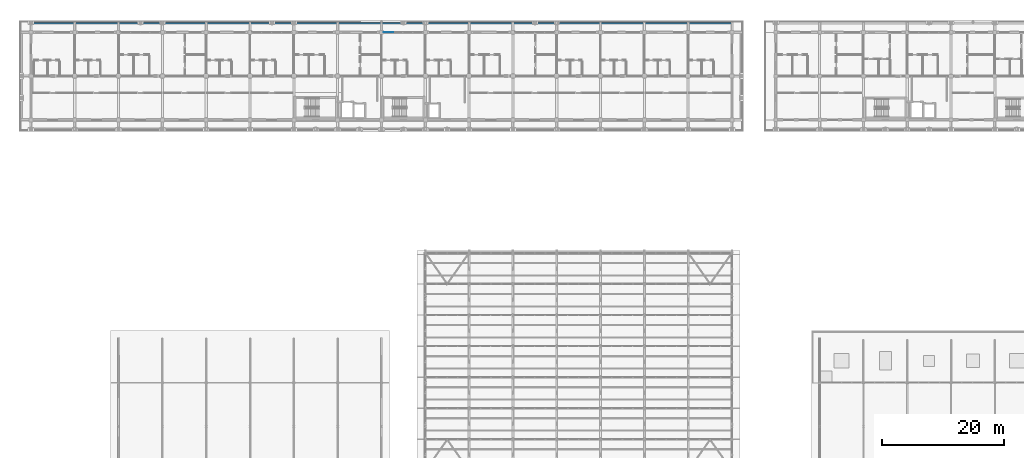
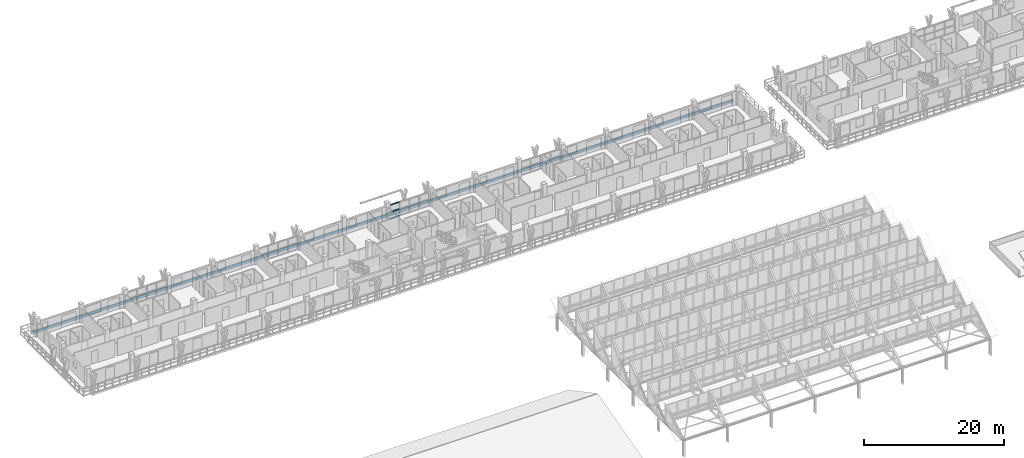
# One storey, part 38 of 157: 3 members, 1 beam, 1 element without a shape of its own.
"""IFC4 building model written with IfcOpenShell, lengths in metres."""

from ifc_helpers import new_model, si_unit, direction, frame, origin, origin_2d, place, context, subcontext, project, spatial, rectangle, hollow_rectangle, extrude, material, material_profile, profile_set, type_object, element, aggregate, save


model = new_model("IFC4")

# Units and contexts
model_context = context("Model", 3, precision=1e-05, world=origin(), true_north=direction((0.0, 1.0)))
body_context = subcontext(model_context, "Body", "Model", "MODEL_VIEW")
ifc_project = project(units=[si_unit("LENGTHUNIT", "METRE"), si_unit("AREAUNIT", "SQUARE_METRE"), si_unit("VOLUMEUNIT", "CUBIC_METRE"), si_unit("PLANEANGLEUNIT", "RADIAN"), si_unit("MASSUNIT", "GRAM", prefix="KILO")], contexts=[model_context])

# Site, building, storey
site_placement = place(None, origin())
site = spatial("IfcSite", under=ifc_project, at=site_placement, CompositionType="ELEMENT")
building_placement = place(site_placement, origin())
building = spatial("IfcBuilding", under=site, at=building_placement, Name="Suanplinth Sawtooth Commons", CompositionType="ELEMENT")
storey_placement = place(building_placement, frame((0.0, 0.0, 9.0)))
storey = spatial("IfcBuildingStorey", under=building, at=storey_placement, Name="L02", CompositionType="ELEMENT", Elevation=9.0)

# Beam
ifc_material_1 = material(Name="Precast concrete C40/50", Category="concrete")
ifc_material_profile_1 = material_profile(ifc_material_1, rectangle(XDim=0.25, YDim=0.449951171875, at=origin_2d()), Name="PC-SP 250x450")
ifc_profile_set_1 = profile_set([ifc_material_profile_1], Name="Precast concrete C40/50")
beam_type = type_object("IfcBeamType", Name="B-09", PredefinedType="SPANDREL", material=ifc_profile_set_1)
beam_placement = place(storey_placement, frame((-0.14990234375, 123.919921875, -0.405029296875), z_axis=(1.0, 0.0, 0.0), x_axis=(0.0, 1.0, 0.0)))
element("IfcBeam", 1, at=beam_placement, inside=storey, type_object=beam_type, Name="Balcony Edge Fascia L02-A-N", PredefinedType="SPANDREL", context=body_context, shape_type="SweptSolid", body=[
    extrude(rectangle(XDim=0.25, YDim=0.449951171875, at=origin_2d()), origin(), (0.0, 0.0, 1.0), 115.5),
])

# Curtain wall, members
ifc_material_2 = material(Name="Anodized aluminium and low-E glazing", Category="aluminium")
curtain_wall_type = type_object("IfcCurtainWallType", Name="CW-06", PredefinedType="USERDEFINED", material=ifc_material_2)
curtain_wall_placement = place(storey_placement, origin())
curtain_wall = element("IfcCurtainWall", 2, at=curtain_wall_placement, inside=storey, type_object=curtain_wall_type, Name="Curtain Wall CW-L02-A-LOUNGE-8", ObjectType="CURTAIN WALL", PredefinedType="USERDEFINED")
ifc_material_3 = material(Name="Anodized aluminium 6063-T6", Category="aluminium")
ifc_material_profile_2 = material_profile(ifc_material_3, hollow_rectangle(XDim=0.06494140625, YDim=0.1201171875, WallThickness=0.00390625, at=origin_2d()), Name="ALU-TRN 65x120")
ifc_profile_set_2 = profile_set([ifc_material_profile_2], Name="Anodized aluminium 6063-T6")
member_type = type_object("IfcMemberType", Name="M-15", PredefinedType="USERDEFINED", material=ifc_profile_set_2)
member_1_placement = place(storey_placement, frame((57.989990234375, 122.39990234375, 0.032470703125), z_axis=(1.0, 0.0, 0.0), x_axis=(0.0, 1.0, 0.0)))
member_1 = element("IfcMember", 3, at=member_1_placement, type_object=member_type, Name="CW-06 transom 1.1", ObjectType="TRANSOM", PredefinedType="USERDEFINED", context=body_context, shape_type="SweptSolid", body=[
    extrude(hollow_rectangle(XDim=0.06494140625, YDim=0.1201171875, WallThickness=0.00390625, at=origin_2d()), origin(), (0.0, 0.0, 1.0), 1.5400390625),
])
member_2_placement = place(storey_placement, frame((57.989990234375, 122.39990234375, 1.219970703125), z_axis=(1.0, 0.0, 0.0), x_axis=(0.0, 1.0, 0.0)))
member_2 = element("IfcMember", 4, at=member_2_placement, type_object=member_type, Name="CW-06 transom 1.2", ObjectType="TRANSOM", PredefinedType="USERDEFINED", context=body_context, shape_type="SweptSolid", body=[
    extrude(hollow_rectangle(XDim=0.06494140625, YDim=0.1201171875, WallThickness=0.00390625, at=origin_2d()), origin(), (0.0, 0.0, 1.0), 1.5400390625),
])
member_3_placement = place(storey_placement, frame((57.989990234375, 122.39990234375, 2.407470703125), z_axis=(1.0, 0.0, 0.0), x_axis=(0.0, 1.0, 0.0)))
member_3 = element("IfcMember", 5, at=member_3_placement, type_object=member_type, Name="CW-06 transom 1.3", ObjectType="TRANSOM", PredefinedType="USERDEFINED", context=body_context, shape_type="SweptSolid", body=[
    extrude(hollow_rectangle(XDim=0.06494140625, YDim=0.1201171875, WallThickness=0.00390625, at=origin_2d()), origin(), (0.0, 0.0, 1.0), 1.5400390625),
])
aggregate(curtain_wall, [member_1, member_2, member_3])

save(model, "model.ifc")
